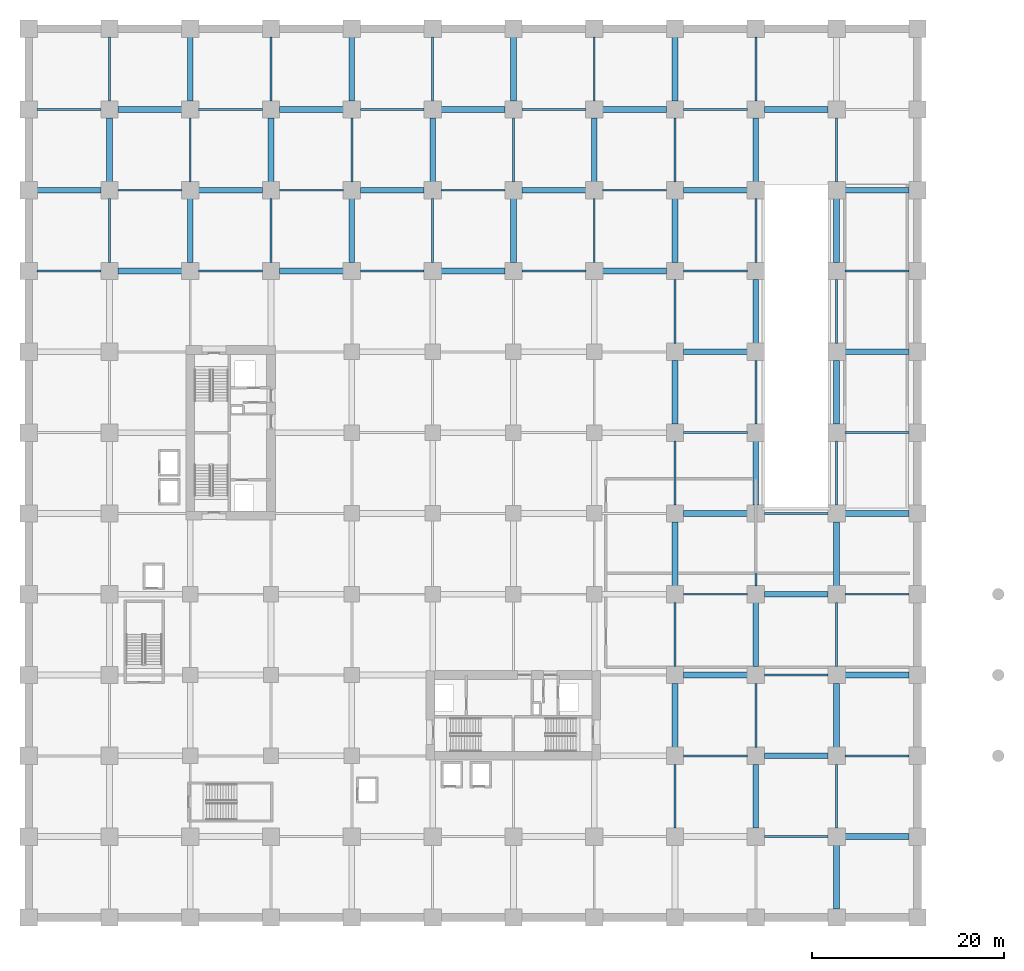
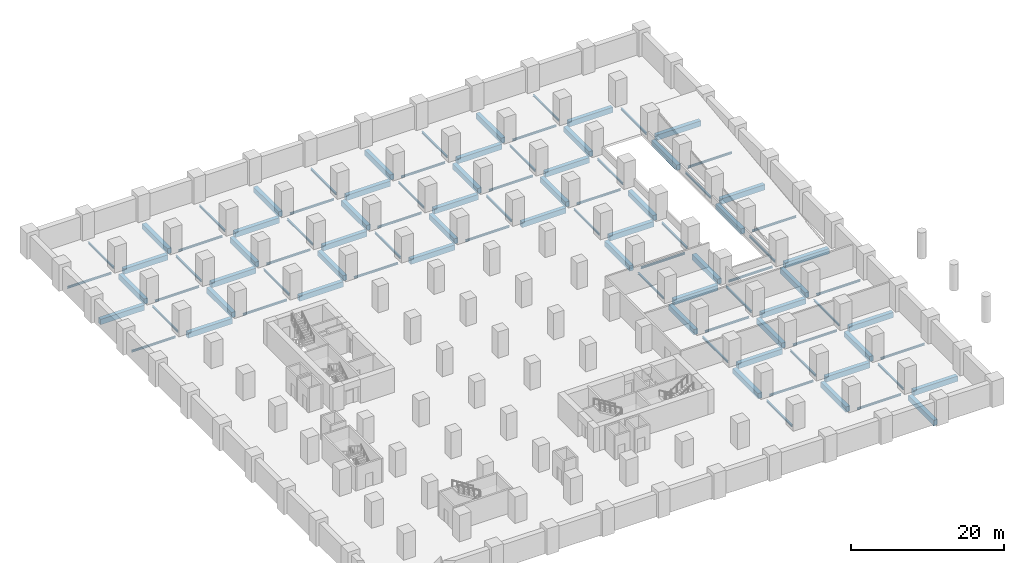
# One storey, part 3 of 13: 99 beams.
"""IFC4 building model written with IfcOpenShell, lengths in metres."""

from ifc_helpers import new_model, si_unit, direction, frame, origin, origin_2d, place, context, subcontext, project, spatial, rectangle, i_section, extrude, material, material_profile, profile_set, type_object, element, save


model = new_model("IFC4")

# Units and contexts
model_context = context("Model", 3, precision=1e-05, world=origin(), true_north=direction((0.0, 1.0)))
body_context = subcontext(model_context, "Body", "Model", "MODEL_VIEW")
ifc_project = project(units=[si_unit("LENGTHUNIT", "METRE"), si_unit("AREAUNIT", "SQUARE_METRE"), si_unit("VOLUMEUNIT", "CUBIC_METRE"), si_unit("PLANEANGLEUNIT", "RADIAN"), si_unit("MASSUNIT", "GRAM", prefix="KILO")], contexts=[model_context])

# Site, building, storey
site_placement = place(None, origin())
site = spatial("IfcSite", under=ifc_project, at=site_placement, CompositionType="ELEMENT")
building_placement = place(site_placement, origin())
building = spatial("IfcBuilding", under=site, at=building_placement, Name="Koriwani Terraces Tower", CompositionType="ELEMENT")
storey_placement = place(building_placement, frame((0.0, 0.0, -4.199951171875)))
storey = spatial("IfcBuildingStorey", under=building, at=storey_placement, Name="B01", CompositionType="ELEMENT", Elevation=-4.199951171875)

# Beams
ifc_material_1 = material(Name="Concrete C60/75", Category="concrete")
ifc_material_profile_1 = material_profile(ifc_material_1, rectangle(XDim=0.60009765625, YDim=0.85009765625, at=origin_2d()), Name="Concrete C60/75", Category="LoadBearing")
ifc_profile_set_1 = profile_set([ifc_material_profile_1], Name="Concrete C60/75")
beam_type_1 = type_object("IfcBeamType", Name="BEAM_RC_GRID_600X850", PredefinedType="BEAM", material=ifc_profile_set_1)
for number, where, z_axis, x_axis, name in (
    (1, (84.8798828125, 8.39990234375, -0.775146484375), (1.0, 0.0, 0.0), (0.0, 1.0, 0.0), "B01 Grid Beam B (84.0-92.4m)"),
    (2, (76.47998046875, 16.800048828125, -0.775146484375), (1.0, 0.0, 0.0), (0.0, 1.0, 0.0), "B01 Grid Beam C (75.6-84.0m)"),
):
    element("IfcBeam", number, at=place(storey_placement, frame(where, z_axis=z_axis, x_axis=x_axis)), inside=storey, type_object=beam_type_1, Name=name, PredefinedType="BEAM", context=body_context, shape_type="SweptSolid", body=[
        extrude(rectangle(XDim=0.60009765625, YDim=0.85009765625, at=origin_2d()), origin(), (0.0, 0.0, 1.0), 6.64013671875),
    ])
beam_1_placement = place(storey_placement, frame((68.080078125, 25.199951171875, -0.775146484375), z_axis=(1.0, 0.0, 0.0), x_axis=(0.0, 1.0, 0.0)))
element("IfcBeam", 3, at=beam_1_placement, inside=storey, type_object=beam_type_1, Name="B01 Grid Beam D (67.2-75.6m)", PredefinedType="BEAM", context=body_context, shape_type="SweptSolid", body=[
    extrude(rectangle(XDim=0.60009765625, YDim=0.85009765625, at=origin_2d()), origin(), (0.0, 0.0, 1.0), 6.639892578125),
])
for number, where, z_axis, x_axis, name in (
    (4, (84.8798828125, 25.199951171875, -0.775146484375), (1.0, 0.0, 0.0), (0.0, 1.0, 0.0), "B01 Grid Beam D (84.0-92.4m)"),
    (5, (76.47998046875, 33.60009765625, -0.775146484375), (1.0, 0.0, 0.0), (0.0, 1.0, 0.0), "B01 Grid Beam E (75.6-84.0m)"),
):
    element("IfcBeam", number, at=place(storey_placement, frame(where, z_axis=z_axis, x_axis=x_axis)), inside=storey, type_object=beam_type_1, Name=name, PredefinedType="BEAM", context=body_context, shape_type="SweptSolid", body=[
        extrude(rectangle(XDim=0.60009765625, YDim=0.85009765625, at=origin_2d()), origin(), (0.0, 0.0, 1.0), 6.64013671875),
    ])
beam_2_placement = place(storey_placement, frame((68.080078125, 42.0, -0.775146484375), z_axis=(1.0, 0.0, 0.0), x_axis=(0.0, 1.0, 0.0)))
element("IfcBeam", 6, at=beam_2_placement, inside=storey, type_object=beam_type_1, Name="B01 Grid Beam F (67.2-75.6m)", PredefinedType="BEAM", context=body_context, shape_type="SweptSolid", body=[
    extrude(rectangle(XDim=0.60009765625, YDim=0.85009765625, at=origin_2d()), origin(), (0.0, 0.0, 1.0), 6.639892578125),
])
beam_3_placement = place(storey_placement, frame((84.8798828125, 42.0, -0.775146484375), z_axis=(1.0, 0.0, 0.0), x_axis=(0.0, 1.0, 0.0)))
element("IfcBeam", 7, at=beam_3_placement, inside=storey, type_object=beam_type_1, Name="B01 Grid Beam F (84.0-92.4m)", PredefinedType="BEAM", context=body_context, shape_type="SweptSolid", body=[
    extrude(rectangle(XDim=0.60009765625, YDim=0.85009765625, at=origin_2d()), origin(), (0.0, 0.0, 1.0), 6.64013671875),
])
beam_4_placement = place(storey_placement, frame((68.080078125, 58.800048828125, -0.775146484375), z_axis=(1.0, 0.0, 0.0), x_axis=(0.0, 1.0, 0.0)))
element("IfcBeam", 8, at=beam_4_placement, inside=storey, type_object=beam_type_1, Name="B01 Grid Beam H (67.2-75.6m)", PredefinedType="BEAM", context=body_context, shape_type="SweptSolid", body=[
    extrude(rectangle(XDim=0.60009765625, YDim=0.85009765625, at=origin_2d()), origin(), (0.0, 0.0, 1.0), 6.639892578125),
])
beam_5_placement = place(storey_placement, frame((84.8798828125, 58.800048828125, -0.775146484375), z_axis=(1.0, 0.0, 0.0), x_axis=(0.0, 1.0, 0.0)))
element("IfcBeam", 9, at=beam_5_placement, inside=storey, type_object=beam_type_1, Name="B01 Grid Beam H (84.0-92.4m)", PredefinedType="BEAM", context=body_context, shape_type="SweptSolid", body=[
    extrude(rectangle(XDim=0.60009765625, YDim=0.85009765625, at=origin_2d()), origin(), (0.0, 0.0, 1.0), 6.64013671875),
])
for number, where, z_axis, x_axis, name in (
    (10, (9.280029296875, 67.199951171875, -0.775146484375), (1.0, 0.0, 0.0), (0.0, 1.0, 0.0), "B01 Grid Beam I (8.4-16.8m)"),
    (11, (26.080078125, 67.199951171875, -0.775146484375), (1.0, 0.0, 0.0), (0.0, 1.0, 0.0), "B01 Grid Beam I (25.2-33.6m)"),
):
    element("IfcBeam", number, at=place(storey_placement, frame(where, z_axis=z_axis, x_axis=x_axis)), inside=storey, type_object=beam_type_1, Name=name, PredefinedType="BEAM", context=body_context, shape_type="SweptSolid", body=[
        extrude(rectangle(XDim=0.60009765625, YDim=0.85009765625, at=origin_2d()), origin(), (0.0, 0.0, 1.0), 6.639892578125),
    ])
for number, where, z_axis, x_axis, name in (
    (12, (42.8798828125, 67.199951171875, -0.775146484375), (1.0, 0.0, 0.0), (0.0, 1.0, 0.0), "B01 Grid Beam I (42.0-50.4m)"),
    (13, (59.679931640625, 67.199951171875, -0.775146484375), (1.0, 0.0, 0.0), (0.0, 1.0, 0.0), "B01 Grid Beam I (58.8-67.2m)"),
    (14, (0.8798828125, 75.60009765625, -0.775146484375), (1.0, 0.0, 0.0), (0.0, 1.0, 0.0), "B01 Grid Beam J (0.0-8.4m)"),
    (15, (17.679931640625, 75.60009765625, -0.775146484375), (1.0, 0.0, 0.0), (0.0, 1.0, 0.0), "B01 Grid Beam J (16.8-25.2m)"),
    (16, (34.47998046875, 75.60009765625, -0.775146484375), (1.0, 0.0, 0.0), (0.0, 1.0, 0.0), "B01 Grid Beam J (33.6-42.0m)"),
):
    element("IfcBeam", number, at=place(storey_placement, frame(where, z_axis=z_axis, x_axis=x_axis)), inside=storey, type_object=beam_type_1, Name=name, PredefinedType="BEAM", context=body_context, shape_type="SweptSolid", body=[
        extrude(rectangle(XDim=0.60009765625, YDim=0.85009765625, at=origin_2d()), origin(), (0.0, 0.0, 1.0), 6.64013671875),
    ])
for number, where, z_axis, x_axis, name in (
    (17, (51.280029296875, 75.60009765625, -0.775146484375), (1.0, 0.0, 0.0), (0.0, 1.0, 0.0), "B01 Grid Beam J (50.4-58.8m)"),
    (18, (68.080078125, 75.60009765625, -0.775146484375), (1.0, 0.0, 0.0), (0.0, 1.0, 0.0), "B01 Grid Beam J (67.2-75.6m)"),
):
    element("IfcBeam", number, at=place(storey_placement, frame(where, z_axis=z_axis, x_axis=x_axis)), inside=storey, type_object=beam_type_1, Name=name, PredefinedType="BEAM", context=body_context, shape_type="SweptSolid", body=[
        extrude(rectangle(XDim=0.60009765625, YDim=0.85009765625, at=origin_2d()), origin(), (0.0, 0.0, 1.0), 6.639892578125),
    ])
beam_6_placement = place(storey_placement, frame((84.8798828125, 75.60009765625, -0.775146484375), z_axis=(1.0, 0.0, 0.0), x_axis=(0.0, 1.0, 0.0)))
element("IfcBeam", 19, at=beam_6_placement, inside=storey, type_object=beam_type_1, Name="B01 Grid Beam J (84.0-92.4m)", PredefinedType="BEAM", context=body_context, shape_type="SweptSolid", body=[
    extrude(rectangle(XDim=0.60009765625, YDim=0.85009765625, at=origin_2d()), origin(), (0.0, 0.0, 1.0), 6.64013671875),
])
for number, where, z_axis, x_axis, name in (
    (20, (9.280029296875, 84.0, -0.775146484375), (1.0, 0.0, 0.0), (0.0, 1.0, 0.0), "B01 Grid Beam K (8.4-16.8m)"),
    (21, (26.080078125, 84.0, -0.775146484375), (1.0, 0.0, 0.0), (0.0, 1.0, 0.0), "B01 Grid Beam K (25.2-33.6m)"),
):
    element("IfcBeam", number, at=place(storey_placement, frame(where, z_axis=z_axis, x_axis=x_axis)), inside=storey, type_object=beam_type_1, Name=name, PredefinedType="BEAM", context=body_context, shape_type="SweptSolid", body=[
        extrude(rectangle(XDim=0.60009765625, YDim=0.85009765625, at=origin_2d()), origin(), (0.0, 0.0, 1.0), 6.639892578125),
    ])
for number, where, z_axis, x_axis, name in (
    (22, (42.8798828125, 84.0, -0.775146484375), (1.0, 0.0, 0.0), (0.0, 1.0, 0.0), "B01 Grid Beam K (42.0-50.4m)"),
    (23, (59.679931640625, 84.0, -0.775146484375), (1.0, 0.0, 0.0), (0.0, 1.0, 0.0), "B01 Grid Beam K (58.8-67.2m)"),
    (24, (76.47998046875, 84.0, -0.775146484375), (1.0, 0.0, 0.0), (0.0, 1.0, 0.0), "B01 Grid Beam K (75.6-84.0m)"),
    (25, (8.39990234375, 76.47998046875, -0.775146484375), (0.0, 1.0, 0.0), (-1.0, 0.0, 0.0), "B01 Grid Beam 2 (75.6-84.0m)"),
):
    element("IfcBeam", number, at=place(storey_placement, frame(where, z_axis=z_axis, x_axis=x_axis)), inside=storey, type_object=beam_type_1, Name=name, PredefinedType="BEAM", context=body_context, shape_type="SweptSolid", body=[
        extrude(rectangle(XDim=0.60009765625, YDim=0.85009765625, at=origin_2d()), origin(), (0.0, 0.0, 1.0), 6.64013671875),
    ])
beam_7_placement = place(storey_placement, frame((16.800048828125, 68.080078125, -0.775146484375), z_axis=(0.0, 1.0, 0.0), x_axis=(-1.0, 0.0, 0.0)))
element("IfcBeam", 26, at=beam_7_placement, inside=storey, type_object=beam_type_1, Name="B01 Grid Beam 3 (67.2-75.6m)", PredefinedType="BEAM", context=body_context, shape_type="SweptSolid", body=[
    extrude(rectangle(XDim=0.60009765625, YDim=0.85009765625, at=origin_2d()), origin(), (0.0, 0.0, 1.0), 6.639892578125),
])
for number, where, z_axis, x_axis, name in (
    (27, (16.800048828125, 84.8798828125, -0.775146484375), (0.0, 1.0, 0.0), (-1.0, 0.0, 0.0), "B01 Grid Beam 3 (84.0-92.4m)"),
    (28, (25.199951171875, 76.47998046875, -0.775146484375), (0.0, 1.0, 0.0), (-1.0, 0.0, 0.0), "B01 Grid Beam 4 (75.6-84.0m)"),
):
    element("IfcBeam", number, at=place(storey_placement, frame(where, z_axis=z_axis, x_axis=x_axis)), inside=storey, type_object=beam_type_1, Name=name, PredefinedType="BEAM", context=body_context, shape_type="SweptSolid", body=[
        extrude(rectangle(XDim=0.60009765625, YDim=0.85009765625, at=origin_2d()), origin(), (0.0, 0.0, 1.0), 6.64013671875),
    ])
beam_8_placement = place(storey_placement, frame((33.60009765625, 68.080078125, -0.775146484375), z_axis=(0.0, 1.0, 0.0), x_axis=(-1.0, 0.0, 0.0)))
element("IfcBeam", 29, at=beam_8_placement, inside=storey, type_object=beam_type_1, Name="B01 Grid Beam 5 (67.2-75.6m)", PredefinedType="BEAM", context=body_context, shape_type="SweptSolid", body=[
    extrude(rectangle(XDim=0.60009765625, YDim=0.85009765625, at=origin_2d()), origin(), (0.0, 0.0, 1.0), 6.639892578125),
])
for number, where, z_axis, x_axis, name in (
    (30, (33.60009765625, 84.8798828125, -0.775146484375), (0.0, 1.0, 0.0), (-1.0, 0.0, 0.0), "B01 Grid Beam 5 (84.0-92.4m)"),
    (31, (42.0, 76.47998046875, -0.775146484375), (0.0, 1.0, 0.0), (-1.0, 0.0, 0.0), "B01 Grid Beam 6 (75.6-84.0m)"),
):
    element("IfcBeam", number, at=place(storey_placement, frame(where, z_axis=z_axis, x_axis=x_axis)), inside=storey, type_object=beam_type_1, Name=name, PredefinedType="BEAM", context=body_context, shape_type="SweptSolid", body=[
        extrude(rectangle(XDim=0.60009765625, YDim=0.85009765625, at=origin_2d()), origin(), (0.0, 0.0, 1.0), 6.64013671875),
    ])
beam_9_placement = place(storey_placement, frame((50.39990234375, 68.080078125, -0.775146484375), z_axis=(0.0, 1.0, 0.0), x_axis=(-1.0, 0.0, 0.0)))
element("IfcBeam", 32, at=beam_9_placement, inside=storey, type_object=beam_type_1, Name="B01 Grid Beam 7 (67.2-75.6m)", PredefinedType="BEAM", context=body_context, shape_type="SweptSolid", body=[
    extrude(rectangle(XDim=0.60009765625, YDim=0.85009765625, at=origin_2d()), origin(), (0.0, 0.0, 1.0), 6.639892578125),
])
for number, where, z_axis, x_axis, name in (
    (33, (50.39990234375, 84.8798828125, -0.775146484375), (0.0, 1.0, 0.0), (-1.0, 0.0, 0.0), "B01 Grid Beam 7 (84.0-92.4m)"),
    (34, (58.800048828125, 76.47998046875, -0.775146484375), (0.0, 1.0, 0.0), (-1.0, 0.0, 0.0), "B01 Grid Beam 8 (75.6-84.0m)"),
    (35, (67.199951171875, 17.679931640625, -0.775146484375), (0.0, 1.0, 0.0), (-1.0, 0.0, 0.0), "B01 Grid Beam 9 (16.8-25.2m)"),
    (36, (67.199951171875, 34.47998046875, -0.775146484375), (0.0, 1.0, 0.0), (-1.0, 0.0, 0.0), "B01 Grid Beam 9 (33.6-42.0m)"),
):
    element("IfcBeam", number, at=place(storey_placement, frame(where, z_axis=z_axis, x_axis=x_axis)), inside=storey, type_object=beam_type_1, Name=name, PredefinedType="BEAM", context=body_context, shape_type="SweptSolid", body=[
        extrude(rectangle(XDim=0.60009765625, YDim=0.85009765625, at=origin_2d()), origin(), (0.0, 0.0, 1.0), 6.64013671875),
    ])
for number, where, z_axis, x_axis, name in (
    (37, (67.199951171875, 51.280029296875, -0.775146484375), (0.0, 1.0, 0.0), (-1.0, 0.0, 0.0), "B01 Grid Beam 9 (50.4-58.8m)"),
    (38, (67.199951171875, 68.080078125, -0.775146484375), (0.0, 1.0, 0.0), (-1.0, 0.0, 0.0), "B01 Grid Beam 9 (67.2-75.6m)"),
):
    element("IfcBeam", number, at=place(storey_placement, frame(where, z_axis=z_axis, x_axis=x_axis)), inside=storey, type_object=beam_type_1, Name=name, PredefinedType="BEAM", context=body_context, shape_type="SweptSolid", body=[
        extrude(rectangle(XDim=0.60009765625, YDim=0.85009765625, at=origin_2d()), origin(), (0.0, 0.0, 1.0), 6.639892578125),
    ])
beam_10_placement = place(storey_placement, frame((67.199951171875, 84.8798828125, -0.775146484375), z_axis=(0.0, 1.0, 0.0), x_axis=(-1.0, 0.0, 0.0)))
element("IfcBeam", 39, at=beam_10_placement, inside=storey, type_object=beam_type_1, Name="B01 Grid Beam 9 (84.0-92.4m)", PredefinedType="BEAM", context=body_context, shape_type="SweptSolid", body=[
    extrude(rectangle(XDim=0.60009765625, YDim=0.85009765625, at=origin_2d()), origin(), (0.0, 0.0, 1.0), 6.64013671875),
])
for number, where, z_axis, x_axis, name in (
    (40, (75.60009765625, 9.280029296875, -0.775146484375), (0.0, 1.0, 0.0), (-1.0, 0.0, 0.0), "B01 Grid Beam 10 (8.4-16.8m)"),
    (41, (75.60009765625, 26.080078125, -0.775146484375), (0.0, 1.0, 0.0), (-1.0, 0.0, 0.0), "B01 Grid Beam 10 (25.2-33.6m)"),
):
    element("IfcBeam", number, at=place(storey_placement, frame(where, z_axis=z_axis, x_axis=x_axis)), inside=storey, type_object=beam_type_1, Name=name, PredefinedType="BEAM", context=body_context, shape_type="SweptSolid", body=[
        extrude(rectangle(XDim=0.60009765625, YDim=0.85009765625, at=origin_2d()), origin(), (0.0, 0.0, 1.0), 6.639892578125),
    ])
for number, where, z_axis, x_axis, name in (
    (42, (75.60009765625, 42.8798828125, -0.775146484375), (0.0, 1.0, 0.0), (-1.0, 0.0, 0.0), "B01 Grid Beam 10 (42.0-50.4m)"),
    (43, (75.60009765625, 59.679931640625, -0.775146484375), (0.0, 1.0, 0.0), (-1.0, 0.0, 0.0), "B01 Grid Beam 10 (58.8-67.2m)"),
    (44, (75.60009765625, 76.47998046875, -0.775146484375), (0.0, 1.0, 0.0), (-1.0, 0.0, 0.0), "B01 Grid Beam 10 (75.6-84.0m)"),
    (45, (84.0, 0.8798828125, -0.775146484375), (0.0, 1.0, 0.0), (-1.0, 0.0, 0.0), "B01 Grid Beam 11 (0.0-8.4m)"),
    (46, (84.0, 17.679931640625, -0.775146484375), (0.0, 1.0, 0.0), (-1.0, 0.0, 0.0), "B01 Grid Beam 11 (16.8-25.2m)"),
    (47, (84.0, 34.47998046875, -0.775146484375), (0.0, 1.0, 0.0), (-1.0, 0.0, 0.0), "B01 Grid Beam 11 (33.6-42.0m)"),
):
    element("IfcBeam", number, at=place(storey_placement, frame(where, z_axis=z_axis, x_axis=x_axis)), inside=storey, type_object=beam_type_1, Name=name, PredefinedType="BEAM", context=body_context, shape_type="SweptSolid", body=[
        extrude(rectangle(XDim=0.60009765625, YDim=0.85009765625, at=origin_2d()), origin(), (0.0, 0.0, 1.0), 6.64013671875),
    ])
for number, where, z_axis, x_axis, name in (
    (48, (84.0, 51.280029296875, -0.775146484375), (0.0, 1.0, 0.0), (-1.0, 0.0, 0.0), "B01 Grid Beam 11 (50.4-58.8m)"),
    (49, (84.0, 68.080078125, -0.775146484375), (0.0, 1.0, 0.0), (-1.0, 0.0, 0.0), "B01 Grid Beam 11 (67.2-75.6m)"),
):
    element("IfcBeam", number, at=place(storey_placement, frame(where, z_axis=z_axis, x_axis=x_axis)), inside=storey, type_object=beam_type_1, Name=name, PredefinedType="BEAM", context=body_context, shape_type="SweptSolid", body=[
        extrude(rectangle(XDim=0.60009765625, YDim=0.85009765625, at=origin_2d()), origin(), (0.0, 0.0, 1.0), 6.639892578125),
    ])
ifc_material_2 = material(Name="Steel ASTM A572 Grade 50", Category="steel")
ifc_material_profile_2 = material_profile(ifc_material_2, i_section(OverallWidth=0.205078125, OverallDepth=0.31005859375, WebThickness=0.009521484375, FlangeThickness=0.016357421875, at=origin_2d()), Name="Steel ASTM A572 Grade 50", Category="LoadBearing")
ifc_profile_set_2 = profile_set([ifc_material_profile_2], Name="Steel ASTM A572 Grade 50")
beam_type_2 = type_object("IfcBeamType", Name="STEEL_BEAM_W310X74", PredefinedType="JOIST", material=ifc_profile_set_2)
beam_11_placement = place(storey_placement, frame((76.47998046875, 8.39990234375, -0.505126953125), z_axis=(1.0, 0.0, 0.0), x_axis=(0.0, 1.0, 0.0)))
element("IfcBeam", 50, at=beam_11_placement, inside=storey, type_object=beam_type_2, Name="B01 Grid Beam B (75.6-84.0m)", PredefinedType="JOIST", context=body_context, shape_type="SweptSolid", body=[
    extrude(i_section(OverallWidth=0.205078125, OverallDepth=0.31005859375, WebThickness=0.009521484375, FlangeThickness=0.016357421875, at=origin_2d()), origin(), (0.0, 0.0, 1.0), 6.64013671875),
])
beam_12_placement = place(storey_placement, frame((68.080078125, 16.800048828125, -0.505126953125), z_axis=(1.0, 0.0, 0.0), x_axis=(0.0, 1.0, 0.0)))
element("IfcBeam", 51, at=beam_12_placement, inside=storey, type_object=beam_type_2, Name="B01 Grid Beam C (67.2-75.6m)", PredefinedType="JOIST", context=body_context, shape_type="SweptSolid", body=[
    extrude(i_section(OverallWidth=0.205078125, OverallDepth=0.31005859375, WebThickness=0.009521484375, FlangeThickness=0.016357421875, at=origin_2d()), origin(), (0.0, 0.0, 1.0), 6.639892578125),
])
for number, where, z_axis, x_axis, name in (
    (52, (84.8798828125, 16.800048828125, -0.505126953125), (1.0, 0.0, 0.0), (0.0, 1.0, 0.0), "B01 Grid Beam C (84.0-92.4m)"),
    (53, (76.47998046875, 25.199951171875, -0.505126953125), (1.0, 0.0, 0.0), (0.0, 1.0, 0.0), "B01 Grid Beam D (75.6-84.0m)"),
):
    element("IfcBeam", number, at=place(storey_placement, frame(where, z_axis=z_axis, x_axis=x_axis)), inside=storey, type_object=beam_type_2, Name=name, PredefinedType="JOIST", context=body_context, shape_type="SweptSolid", body=[
        extrude(i_section(OverallWidth=0.205078125, OverallDepth=0.31005859375, WebThickness=0.009521484375, FlangeThickness=0.016357421875, at=origin_2d()), origin(), (0.0, 0.0, 1.0), 6.64013671875),
    ])
beam_13_placement = place(storey_placement, frame((68.080078125, 33.60009765625, -0.505126953125), z_axis=(1.0, 0.0, 0.0), x_axis=(0.0, 1.0, 0.0)))
element("IfcBeam", 54, at=beam_13_placement, inside=storey, type_object=beam_type_2, Name="B01 Grid Beam E (67.2-75.6m)", PredefinedType="JOIST", context=body_context, shape_type="SweptSolid", body=[
    extrude(i_section(OverallWidth=0.205078125, OverallDepth=0.31005859375, WebThickness=0.009521484375, FlangeThickness=0.016357421875, at=origin_2d()), origin(), (0.0, 0.0, 1.0), 6.639892578125),
])
for number, where, z_axis, x_axis, name in (
    (55, (84.8798828125, 33.60009765625, -0.505126953125), (1.0, 0.0, 0.0), (0.0, 1.0, 0.0), "B01 Grid Beam E (84.0-92.4m)"),
    (56, (76.47998046875, 42.0, -0.505126953125), (1.0, 0.0, 0.0), (0.0, 1.0, 0.0), "B01 Grid Beam F (75.6-84.0m)"),
):
    element("IfcBeam", number, at=place(storey_placement, frame(where, z_axis=z_axis, x_axis=x_axis)), inside=storey, type_object=beam_type_2, Name=name, PredefinedType="JOIST", context=body_context, shape_type="SweptSolid", body=[
        extrude(i_section(OverallWidth=0.205078125, OverallDepth=0.31005859375, WebThickness=0.009521484375, FlangeThickness=0.016357421875, at=origin_2d()), origin(), (0.0, 0.0, 1.0), 6.64013671875),
    ])
beam_14_placement = place(storey_placement, frame((68.080078125, 50.39990234375, -0.505126953125), z_axis=(1.0, 0.0, 0.0), x_axis=(0.0, 1.0, 0.0)))
element("IfcBeam", 57, at=beam_14_placement, inside=storey, type_object=beam_type_2, Name="B01 Grid Beam G (67.2-75.6m)", PredefinedType="JOIST", context=body_context, shape_type="SweptSolid", body=[
    extrude(i_section(OverallWidth=0.205078125, OverallDepth=0.31005859375, WebThickness=0.009521484375, FlangeThickness=0.016357421875, at=origin_2d()), origin(), (0.0, 0.0, 1.0), 6.639892578125),
])
for number, where, z_axis, x_axis, name in (
    (58, (84.8798828125, 50.39990234375, -0.505126953125), (1.0, 0.0, 0.0), (0.0, 1.0, 0.0), "B01 Grid Beam G (84.0-92.4m)"),
    (59, (0.8798828125, 67.199951171875, -0.505126953125), (1.0, 0.0, 0.0), (0.0, 1.0, 0.0), "B01 Grid Beam I (0.0-8.4m)"),
    (60, (17.679931640625, 67.199951171875, -0.505126953125), (1.0, 0.0, 0.0), (0.0, 1.0, 0.0), "B01 Grid Beam I (16.8-25.2m)"),
    (61, (34.47998046875, 67.199951171875, -0.505126953125), (1.0, 0.0, 0.0), (0.0, 1.0, 0.0), "B01 Grid Beam I (33.6-42.0m)"),
):
    element("IfcBeam", number, at=place(storey_placement, frame(where, z_axis=z_axis, x_axis=x_axis)), inside=storey, type_object=beam_type_2, Name=name, PredefinedType="JOIST", context=body_context, shape_type="SweptSolid", body=[
        extrude(i_section(OverallWidth=0.205078125, OverallDepth=0.31005859375, WebThickness=0.009521484375, FlangeThickness=0.016357421875, at=origin_2d()), origin(), (0.0, 0.0, 1.0), 6.64013671875),
    ])
for number, where, z_axis, x_axis, name in (
    (62, (51.280029296875, 67.199951171875, -0.505126953125), (1.0, 0.0, 0.0), (0.0, 1.0, 0.0), "B01 Grid Beam I (50.4-58.8m)"),
    (63, (68.080078125, 67.199951171875, -0.505126953125), (1.0, 0.0, 0.0), (0.0, 1.0, 0.0), "B01 Grid Beam I (67.2-75.6m)"),
):
    element("IfcBeam", number, at=place(storey_placement, frame(where, z_axis=z_axis, x_axis=x_axis)), inside=storey, type_object=beam_type_2, Name=name, PredefinedType="JOIST", context=body_context, shape_type="SweptSolid", body=[
        extrude(i_section(OverallWidth=0.205078125, OverallDepth=0.31005859375, WebThickness=0.009521484375, FlangeThickness=0.016357421875, at=origin_2d()), origin(), (0.0, 0.0, 1.0), 6.639892578125),
    ])
beam_15_placement = place(storey_placement, frame((84.8798828125, 67.199951171875, -0.505126953125), z_axis=(1.0, 0.0, 0.0), x_axis=(0.0, 1.0, 0.0)))
element("IfcBeam", 64, at=beam_15_placement, inside=storey, type_object=beam_type_2, Name="B01 Grid Beam I (84.0-92.4m)", PredefinedType="JOIST", context=body_context, shape_type="SweptSolid", body=[
    extrude(i_section(OverallWidth=0.205078125, OverallDepth=0.31005859375, WebThickness=0.009521484375, FlangeThickness=0.016357421875, at=origin_2d()), origin(), (0.0, 0.0, 1.0), 6.64013671875),
])
for number, where, z_axis, x_axis, name in (
    (65, (9.280029296875, 75.60009765625, -0.505126953125), (1.0, 0.0, 0.0), (0.0, 1.0, 0.0), "B01 Grid Beam J (8.4-16.8m)"),
    (66, (26.080078125, 75.60009765625, -0.505126953125), (1.0, 0.0, 0.0), (0.0, 1.0, 0.0), "B01 Grid Beam J (25.2-33.6m)"),
):
    element("IfcBeam", number, at=place(storey_placement, frame(where, z_axis=z_axis, x_axis=x_axis)), inside=storey, type_object=beam_type_2, Name=name, PredefinedType="JOIST", context=body_context, shape_type="SweptSolid", body=[
        extrude(i_section(OverallWidth=0.205078125, OverallDepth=0.31005859375, WebThickness=0.009521484375, FlangeThickness=0.016357421875, at=origin_2d()), origin(), (0.0, 0.0, 1.0), 6.639892578125),
    ])
for number, where, z_axis, x_axis, name in (
    (67, (42.8798828125, 75.60009765625, -0.505126953125), (1.0, 0.0, 0.0), (0.0, 1.0, 0.0), "B01 Grid Beam J (42.0-50.4m)"),
    (68, (59.679931640625, 75.60009765625, -0.505126953125), (1.0, 0.0, 0.0), (0.0, 1.0, 0.0), "B01 Grid Beam J (58.8-67.2m)"),
    (69, (0.8798828125, 84.0, -0.505126953125), (1.0, 0.0, 0.0), (0.0, 1.0, 0.0), "B01 Grid Beam K (0.0-8.4m)"),
    (70, (17.679931640625, 84.0, -0.505126953125), (1.0, 0.0, 0.0), (0.0, 1.0, 0.0), "B01 Grid Beam K (16.8-25.2m)"),
    (71, (34.47998046875, 84.0, -0.505126953125), (1.0, 0.0, 0.0), (0.0, 1.0, 0.0), "B01 Grid Beam K (33.6-42.0m)"),
):
    element("IfcBeam", number, at=place(storey_placement, frame(where, z_axis=z_axis, x_axis=x_axis)), inside=storey, type_object=beam_type_2, Name=name, PredefinedType="JOIST", context=body_context, shape_type="SweptSolid", body=[
        extrude(i_section(OverallWidth=0.205078125, OverallDepth=0.31005859375, WebThickness=0.009521484375, FlangeThickness=0.016357421875, at=origin_2d()), origin(), (0.0, 0.0, 1.0), 6.64013671875),
    ])
for number, where, z_axis, x_axis, name in (
    (72, (51.280029296875, 84.0, -0.505126953125), (1.0, 0.0, 0.0), (0.0, 1.0, 0.0), "B01 Grid Beam K (50.4-58.8m)"),
    (73, (68.080078125, 84.0, -0.505126953125), (1.0, 0.0, 0.0), (0.0, 1.0, 0.0), "B01 Grid Beam K (67.2-75.6m)"),
    (74, (8.39990234375, 68.080078125, -0.505126953125), (0.0, 1.0, 0.0), (-1.0, 0.0, 0.0), "B01 Grid Beam 2 (67.2-75.6m)"),
):
    element("IfcBeam", number, at=place(storey_placement, frame(where, z_axis=z_axis, x_axis=x_axis)), inside=storey, type_object=beam_type_2, Name=name, PredefinedType="JOIST", context=body_context, shape_type="SweptSolid", body=[
        extrude(i_section(OverallWidth=0.205078125, OverallDepth=0.31005859375, WebThickness=0.009521484375, FlangeThickness=0.016357421875, at=origin_2d()), origin(), (0.0, 0.0, 1.0), 6.639892578125),
    ])
for number, where, z_axis, x_axis, name in (
    (75, (8.39990234375, 84.8798828125, -0.505126953125), (0.0, 1.0, 0.0), (-1.0, 0.0, 0.0), "B01 Grid Beam 2 (84.0-92.4m)"),
    (76, (16.800048828125, 76.47998046875, -0.505126953125), (0.0, 1.0, 0.0), (-1.0, 0.0, 0.0), "B01 Grid Beam 3 (75.6-84.0m)"),
):
    element("IfcBeam", number, at=place(storey_placement, frame(where, z_axis=z_axis, x_axis=x_axis)), inside=storey, type_object=beam_type_2, Name=name, PredefinedType="JOIST", context=body_context, shape_type="SweptSolid", body=[
        extrude(i_section(OverallWidth=0.205078125, OverallDepth=0.31005859375, WebThickness=0.009521484375, FlangeThickness=0.016357421875, at=origin_2d()), origin(), (0.0, 0.0, 1.0), 6.64013671875),
    ])
beam_16_placement = place(storey_placement, frame((25.199951171875, 68.080078125, -0.505126953125), z_axis=(0.0, 1.0, 0.0), x_axis=(-1.0, 0.0, 0.0)))
element("IfcBeam", 77, at=beam_16_placement, inside=storey, type_object=beam_type_2, Name="B01 Grid Beam 4 (67.2-75.6m)", PredefinedType="JOIST", context=body_context, shape_type="SweptSolid", body=[
    extrude(i_section(OverallWidth=0.205078125, OverallDepth=0.31005859375, WebThickness=0.009521484375, FlangeThickness=0.016357421875, at=origin_2d()), origin(), (0.0, 0.0, 1.0), 6.639892578125),
])
for number, where, z_axis, x_axis, name in (
    (78, (25.199951171875, 84.8798828125, -0.505126953125), (0.0, 1.0, 0.0), (-1.0, 0.0, 0.0), "B01 Grid Beam 4 (84.0-92.4m)"),
    (79, (33.60009765625, 76.47998046875, -0.505126953125), (0.0, 1.0, 0.0), (-1.0, 0.0, 0.0), "B01 Grid Beam 5 (75.6-84.0m)"),
):
    element("IfcBeam", number, at=place(storey_placement, frame(where, z_axis=z_axis, x_axis=x_axis)), inside=storey, type_object=beam_type_2, Name=name, PredefinedType="JOIST", context=body_context, shape_type="SweptSolid", body=[
        extrude(i_section(OverallWidth=0.205078125, OverallDepth=0.31005859375, WebThickness=0.009521484375, FlangeThickness=0.016357421875, at=origin_2d()), origin(), (0.0, 0.0, 1.0), 6.64013671875),
    ])
beam_17_placement = place(storey_placement, frame((42.0, 68.080078125, -0.505126953125), z_axis=(0.0, 1.0, 0.0), x_axis=(-1.0, 0.0, 0.0)))
element("IfcBeam", 80, at=beam_17_placement, inside=storey, type_object=beam_type_2, Name="B01 Grid Beam 6 (67.2-75.6m)", PredefinedType="JOIST", context=body_context, shape_type="SweptSolid", body=[
    extrude(i_section(OverallWidth=0.205078125, OverallDepth=0.31005859375, WebThickness=0.009521484375, FlangeThickness=0.016357421875, at=origin_2d()), origin(), (0.0, 0.0, 1.0), 6.639892578125),
])
for number, where, z_axis, x_axis, name in (
    (81, (42.0, 84.8798828125, -0.505126953125), (0.0, 1.0, 0.0), (-1.0, 0.0, 0.0), "B01 Grid Beam 6 (84.0-92.4m)"),
    (82, (50.39990234375, 76.47998046875, -0.505126953125), (0.0, 1.0, 0.0), (-1.0, 0.0, 0.0), "B01 Grid Beam 7 (75.6-84.0m)"),
):
    element("IfcBeam", number, at=place(storey_placement, frame(where, z_axis=z_axis, x_axis=x_axis)), inside=storey, type_object=beam_type_2, Name=name, PredefinedType="JOIST", context=body_context, shape_type="SweptSolid", body=[
        extrude(i_section(OverallWidth=0.205078125, OverallDepth=0.31005859375, WebThickness=0.009521484375, FlangeThickness=0.016357421875, at=origin_2d()), origin(), (0.0, 0.0, 1.0), 6.64013671875),
    ])
beam_18_placement = place(storey_placement, frame((58.800048828125, 68.080078125, -0.505126953125), z_axis=(0.0, 1.0, 0.0), x_axis=(-1.0, 0.0, 0.0)))
element("IfcBeam", 83, at=beam_18_placement, inside=storey, type_object=beam_type_2, Name="B01 Grid Beam 8 (67.2-75.6m)", PredefinedType="JOIST", context=body_context, shape_type="SweptSolid", body=[
    extrude(i_section(OverallWidth=0.205078125, OverallDepth=0.31005859375, WebThickness=0.009521484375, FlangeThickness=0.016357421875, at=origin_2d()), origin(), (0.0, 0.0, 1.0), 6.639892578125),
])
beam_19_placement = place(storey_placement, frame((58.800048828125, 84.8798828125, -0.505126953125), z_axis=(0.0, 1.0, 0.0), x_axis=(-1.0, 0.0, 0.0)))
element("IfcBeam", 84, at=beam_19_placement, inside=storey, type_object=beam_type_2, Name="B01 Grid Beam 8 (84.0-92.4m)", PredefinedType="JOIST", context=body_context, shape_type="SweptSolid", body=[
    extrude(i_section(OverallWidth=0.205078125, OverallDepth=0.31005859375, WebThickness=0.009521484375, FlangeThickness=0.016357421875, at=origin_2d()), origin(), (0.0, 0.0, 1.0), 6.64013671875),
])
for number, where, z_axis, x_axis, name in (
    (85, (67.199951171875, 9.280029296875, -0.505126953125), (0.0, 1.0, 0.0), (-1.0, 0.0, 0.0), "B01 Grid Beam 9 (8.4-16.8m)"),
    (86, (67.199951171875, 26.080078125, -0.505126953125), (0.0, 1.0, 0.0), (-1.0, 0.0, 0.0), "B01 Grid Beam 9 (25.2-33.6m)"),
):
    element("IfcBeam", number, at=place(storey_placement, frame(where, z_axis=z_axis, x_axis=x_axis)), inside=storey, type_object=beam_type_2, Name=name, PredefinedType="JOIST", context=body_context, shape_type="SweptSolid", body=[
        extrude(i_section(OverallWidth=0.205078125, OverallDepth=0.31005859375, WebThickness=0.009521484375, FlangeThickness=0.016357421875, at=origin_2d()), origin(), (0.0, 0.0, 1.0), 6.639892578125),
    ])
for number, where, z_axis, x_axis, name in (
    (87, (67.199951171875, 42.8798828125, -0.505126953125), (0.0, 1.0, 0.0), (-1.0, 0.0, 0.0), "B01 Grid Beam 9 (42.0-50.4m)"),
    (88, (67.199951171875, 59.679931640625, -0.505126953125), (0.0, 1.0, 0.0), (-1.0, 0.0, 0.0), "B01 Grid Beam 9 (58.8-67.2m)"),
    (89, (67.199951171875, 76.47998046875, -0.505126953125), (0.0, 1.0, 0.0), (-1.0, 0.0, 0.0), "B01 Grid Beam 9 (75.6-84.0m)"),
    (90, (75.60009765625, 17.679931640625, -0.505126953125), (0.0, 1.0, 0.0), (-1.0, 0.0, 0.0), "B01 Grid Beam 10 (16.8-25.2m)"),
    (91, (75.60009765625, 34.47998046875, -0.505126953125), (0.0, 1.0, 0.0), (-1.0, 0.0, 0.0), "B01 Grid Beam 10 (33.6-42.0m)"),
):
    element("IfcBeam", number, at=place(storey_placement, frame(where, z_axis=z_axis, x_axis=x_axis)), inside=storey, type_object=beam_type_2, Name=name, PredefinedType="JOIST", context=body_context, shape_type="SweptSolid", body=[
        extrude(i_section(OverallWidth=0.205078125, OverallDepth=0.31005859375, WebThickness=0.009521484375, FlangeThickness=0.016357421875, at=origin_2d()), origin(), (0.0, 0.0, 1.0), 6.64013671875),
    ])
for number, where, z_axis, x_axis, name in (
    (92, (75.60009765625, 51.280029296875, -0.505126953125), (0.0, 1.0, 0.0), (-1.0, 0.0, 0.0), "B01 Grid Beam 10 (50.4-58.8m)"),
    (93, (75.60009765625, 68.080078125, -0.505126953125), (0.0, 1.0, 0.0), (-1.0, 0.0, 0.0), "B01 Grid Beam 10 (67.2-75.6m)"),
):
    element("IfcBeam", number, at=place(storey_placement, frame(where, z_axis=z_axis, x_axis=x_axis)), inside=storey, type_object=beam_type_2, Name=name, PredefinedType="JOIST", context=body_context, shape_type="SweptSolid", body=[
        extrude(i_section(OverallWidth=0.205078125, OverallDepth=0.31005859375, WebThickness=0.009521484375, FlangeThickness=0.016357421875, at=origin_2d()), origin(), (0.0, 0.0, 1.0), 6.639892578125),
    ])
beam_20_placement = place(storey_placement, frame((75.60009765625, 84.8798828125, -0.505126953125), z_axis=(0.0, 1.0, 0.0), x_axis=(-1.0, 0.0, 0.0)))
element("IfcBeam", 94, at=beam_20_placement, inside=storey, type_object=beam_type_2, Name="B01 Grid Beam 10 (84.0-92.4m)", PredefinedType="JOIST", context=body_context, shape_type="SweptSolid", body=[
    extrude(i_section(OverallWidth=0.205078125, OverallDepth=0.31005859375, WebThickness=0.009521484375, FlangeThickness=0.016357421875, at=origin_2d()), origin(), (0.0, 0.0, 1.0), 6.64013671875),
])
for number, where, z_axis, x_axis, name in (
    (95, (84.0, 9.280029296875, -0.505126953125), (0.0, 1.0, 0.0), (-1.0, 0.0, 0.0), "B01 Grid Beam 11 (8.4-16.8m)"),
    (96, (84.0, 26.080078125, -0.505126953125), (0.0, 1.0, 0.0), (-1.0, 0.0, 0.0), "B01 Grid Beam 11 (25.2-33.6m)"),
):
    element("IfcBeam", number, at=place(storey_placement, frame(where, z_axis=z_axis, x_axis=x_axis)), inside=storey, type_object=beam_type_2, Name=name, PredefinedType="JOIST", context=body_context, shape_type="SweptSolid", body=[
        extrude(i_section(OverallWidth=0.205078125, OverallDepth=0.31005859375, WebThickness=0.009521484375, FlangeThickness=0.016357421875, at=origin_2d()), origin(), (0.0, 0.0, 1.0), 6.639892578125),
    ])
for number, where, z_axis, x_axis, name in (
    (97, (84.0, 42.8798828125, -0.505126953125), (0.0, 1.0, 0.0), (-1.0, 0.0, 0.0), "B01 Grid Beam 11 (42.0-50.4m)"),
    (98, (84.0, 59.679931640625, -0.505126953125), (0.0, 1.0, 0.0), (-1.0, 0.0, 0.0), "B01 Grid Beam 11 (58.8-67.2m)"),
    (99, (84.0, 76.47998046875, -0.505126953125), (0.0, 1.0, 0.0), (-1.0, 0.0, 0.0), "B01 Grid Beam 11 (75.6-84.0m)"),
):
    element("IfcBeam", number, at=place(storey_placement, frame(where, z_axis=z_axis, x_axis=x_axis)), inside=storey, type_object=beam_type_2, Name=name, PredefinedType="JOIST", context=body_context, shape_type="SweptSolid", body=[
        extrude(i_section(OverallWidth=0.205078125, OverallDepth=0.31005859375, WebThickness=0.009521484375, FlangeThickness=0.016357421875, at=origin_2d()), origin(), (0.0, 0.0, 1.0), 6.64013671875),
    ])

save(model, "model.ifc")
